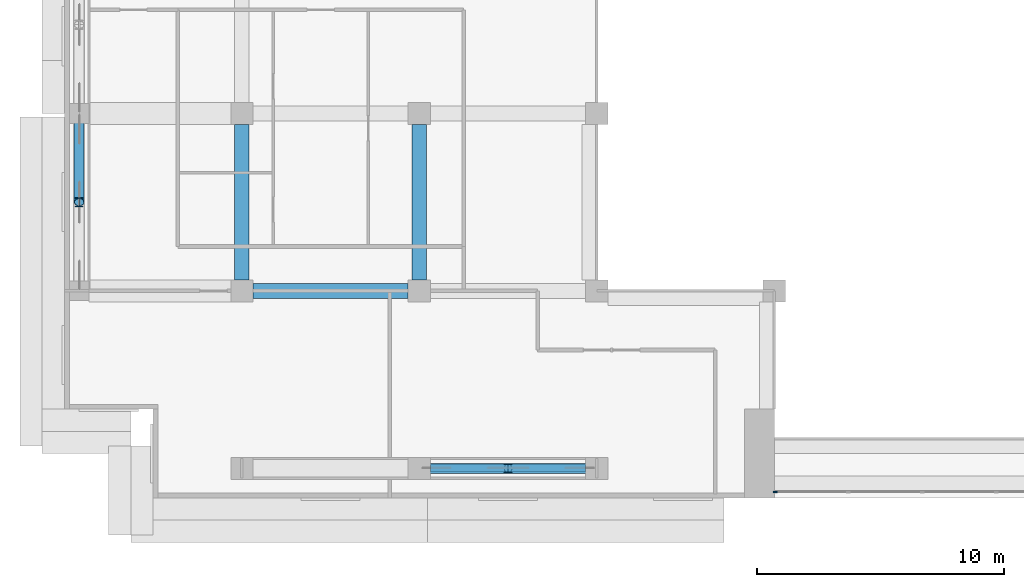
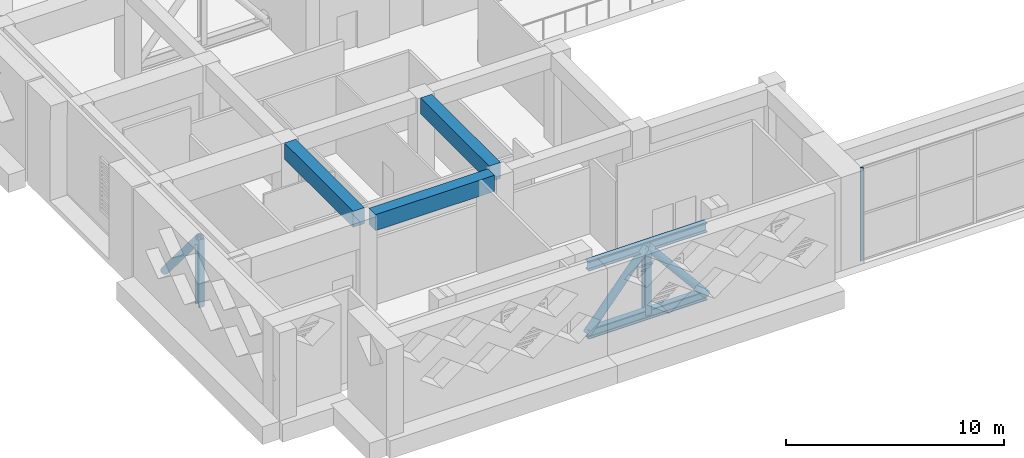
# One storey, part 2 of 20: 8 members, 3 beams, 1 element without a shape of its own.
"""IFC4 building model written with IfcOpenShell, lengths in metres."""

import ifcopenshell
import ifcopenshell.guid

model = None  # the IFC model being written
_history = None  # IfcOwnerHistory: only IFC2X3 demands one
_inside = {}  # id of a spatial element -> (the spatial element, [elements in it])
_under = {}  # id of a project, library or spatial element -> (it, [spatial elements below it])
_declared = {}  # id of a project -> (the project, [libraries it declares])
_typed = {}  # id of a type object -> (the type object, [elements of that type])
_made_of = {}  # id of a material, layer set ... -> (it, [elements and type objects made of it])


def new_model(schema):
    """Start an empty IFC model of exactly this schema.

    Asked for "IFC4X3", IfcOpenShell would pick the latest addendum, in which some entities
    have other attributes; the version numbers below select the first issue.
    IFC2X3 requires an IfcOwnerHistory on every rooted entity: one is made here for all.
    """
    global model, _history
    if schema == "IFC4X3":
        model = ifcopenshell.file(schema_version=(4, 3, 0, 0))
    else:
        model = ifcopenshell.file(schema=schema)
    _inside.clear()
    _under.clear()
    _declared.clear()
    _typed.clear()
    _made_of.clear()
    _history = None
    if model.schema == "IFC2X3":
        org = make("IfcOrganization", Name="unknown")
        user = make(
            "IfcPersonAndOrganization",
            ThePerson=make("IfcPerson", FamilyName="unknown"),
            TheOrganization=org,
        )
        app = make(
            "IfcApplication",
            ApplicationDeveloper=org,
            Version="unknown",
            ApplicationFullName="unknown",
            ApplicationIdentifier="unknown",
        )
        _history = make(
            "IfcOwnerHistory",
            OwningUser=user,
            OwningApplication=app,
            ChangeAction="ADDED",
            CreationDate=0,
        )
    return model


def make(cls, **values):
    """One entity of the class cls with the attributes given. An attribute that is None is left unset."""
    return model.create_entity(
        cls, **{name: value for name, value in values.items() if value is not None}
    )


def rooted(cls, **values):
    """An entity with a GlobalId (a new one), such as an element, a storey or a relation."""
    return make(cls, GlobalId=ifcopenshell.guid.new(), OwnerHistory=_history, **values)


def si_unit(unit_type, name, prefix=None):
    """IfcSIUnit, for example si_unit("LENGTHUNIT", "METRE", prefix="MILLI")."""
    return make("IfcSIUnit", UnitType=unit_type, Prefix=prefix, Name=name)


def assignment(units):
    """IfcUnitAssignment: the units of a project."""
    return None if units is None else make("IfcUnitAssignment", Units=units)


def point(xyz):
    """IfcCartesianPoint."""
    return None if xyz is None else make("IfcCartesianPoint", Coordinates=xyz)


def direction(xyz):
    """IfcDirection."""
    return None if xyz is None else make("IfcDirection", DirectionRatios=xyz)


def frame(location, z_axis=None, x_axis=None):
    """IfcAxis2Placement3D, a coordinate frame: its origin and axes. An axis left out is left unset."""
    return make(
        "IfcAxis2Placement3D",
        Location=point(location),
        Axis=direction(z_axis),
        RefDirection=direction(x_axis),
    )


def frame_2d(location, x_axis=None):
    """IfcAxis2Placement2D, a coordinate frame in the plane: its origin and x axis."""
    return make(
        "IfcAxis2Placement2D", Location=point(location), RefDirection=direction(x_axis)
    )


def origin():
    """The frame at (0, 0, 0) with its axes left unset."""
    return frame((0.0, 0.0, 0.0))


def origin_2d():
    """The frame at (0, 0) in the plane with its x axis left unset."""
    return frame_2d((0.0, 0.0))


def place(relative_to, where):
    """IfcLocalPlacement: puts the frame where relative to a parent placement (None: the world)."""
    return make(
        "IfcLocalPlacement", PlacementRelTo=relative_to, RelativePlacement=where
    )


def context(
    kind, dimensions, precision=None, world=None, true_north=None, identifier=None
):
    """IfcGeometricRepresentationContext, for example the 3D "Model" context."""
    return make(
        "IfcGeometricRepresentationContext",
        ContextIdentifier=identifier,
        ContextType=kind,
        CoordinateSpaceDimension=dimensions,
        Precision=precision,
        WorldCoordinateSystem=world,
        TrueNorth=true_north,
    )


def subcontext(parent, identifier, kind, view, scale=None):
    """IfcGeometricRepresentationSubContext, for example "Body" below "Model"."""
    return make(
        "IfcGeometricRepresentationSubContext",
        ContextIdentifier=identifier,
        ContextType=kind,
        ParentContext=parent,
        TargetScale=scale,
        TargetView=view,
    )


def project(units=None, contexts=None):
    """IfcProject with its units and contexts."""
    return rooted(
        "IfcProject",
        Name="project",
        RepresentationContexts=contexts,
        UnitsInContext=assignment(units),
    )


def spatial(cls, under=None, at=None, **own):
    """A site, building, storey or space (cls), placed at a placement, below another one or the project."""
    s = rooted(cls, ObjectPlacement=at, **own)
    if under is not None:
        _under.setdefault(under.id(), (under, []))[1].append(s)
    return s


def profile(cls, at=None, kind="AREA", **sizes):
    """A parametric profile (cls). Its sizes go by their IFC names, for example OverallWidth=200.0."""
    return make(cls, ProfileType=kind, Position=at, **sizes)


def rectangle(**sizes):
    """IfcRectangleProfileDef."""
    return profile("IfcRectangleProfileDef", **sizes)


def hollow_circle(**sizes):
    """IfcCircleHollowProfileDef."""
    return profile("IfcCircleHollowProfileDef", **sizes)


def i_section(**sizes):
    """IfcIShapeProfileDef."""
    return profile("IfcIShapeProfileDef", **sizes)


def extrude(swept, where, along, depth):
    """IfcExtrudedAreaSolid: the profile swept, set in the frame where, extruded along a direction by depth."""
    return make(
        "IfcExtrudedAreaSolid",
        SweptArea=swept,
        Position=where,
        ExtrudedDirection=direction(along),
        Depth=depth,
    )


def shape(context_of_items, identifier, shape_type, items):
    """IfcShapeRepresentation: the items that make up one representation, for example the "Body"."""
    return make(
        "IfcShapeRepresentation",
        ContextOfItems=context_of_items,
        RepresentationIdentifier=identifier,
        RepresentationType=shape_type,
        Items=items,
    )


def source(mapping_origin, context_of_items, identifier, shape_type, items):
    """IfcRepresentationMap: a shape defined once, which mapped items show again and again."""
    return make(
        "IfcRepresentationMap",
        MappingOrigin=mapping_origin,
        MappedRepresentation=shape(context_of_items, identifier, shape_type, items),
    )


def transform(
    local_origin,
    x_axis=None,
    y_axis=None,
    z_axis=None,
    scale=None,
    scale2=None,
    scale3=None,
    uniform=True,
):
    """IfcCartesianTransformationOperator3D, or its non-uniform kind. x_axis, y_axis, z_axis: its Axis1, 2, 3."""
    if uniform:
        return make(
            "IfcCartesianTransformationOperator3D",
            Axis1=direction(x_axis),
            Axis2=direction(y_axis),
            LocalOrigin=point(local_origin),
            Scale=scale,
            Axis3=direction(z_axis),
        )
    return make(
        "IfcCartesianTransformationOperator3DnonUniform",
        Axis1=direction(x_axis),
        Axis2=direction(y_axis),
        LocalOrigin=point(local_origin),
        Scale=scale,
        Axis3=direction(z_axis),
        Scale2=scale2,
        Scale3=scale3,
    )


def mapped(mapping_source, mapping_target):
    """IfcMappedItem: shows the shape of a source again, moved by a transform."""
    return make(
        "IfcMappedItem", MappingSource=mapping_source, MappingTarget=mapping_target
    )


def material(Name=None, Category=None):
    """IfcMaterial."""
    return make("IfcMaterial", Name=Name, Category=Category)


def layer(
    of_material, thickness, ventilated=None, Name=None, Category=None, Priority=None
):
    """IfcMaterialLayer: one layer of a wall or slab, of a material (None: an air gap)."""
    return make(
        "IfcMaterialLayer",
        Material=of_material,
        LayerThickness=thickness,
        IsVentilated=ventilated,
        Name=Name,
        Category=Category,
        Priority=Priority,
    )


def layer_set(layers, Name=None):
    """IfcMaterialLayerSet."""
    return make("IfcMaterialLayerSet", MaterialLayers=layers, LayerSetName=Name)


def material_profile(
    of_material, cross_section, Name=None, Category=None, Priority=None
):
    """IfcMaterialProfile: a cross section and its material."""
    return make(
        "IfcMaterialProfile",
        Name=Name,
        Material=of_material,
        Profile=cross_section,
        Priority=Priority,
        Category=Category,
    )


def profile_set(profiles, Name=None, composite=None):
    """IfcMaterialProfileSet."""
    return make(
        "IfcMaterialProfileSet",
        Name=Name,
        MaterialProfiles=profiles,
        CompositeProfile=composite,
    )


def made_of(thing, what):
    """Note that an element or type object is made of a material, layer set ...; save() writes the relation."""
    if what is not None:
        _made_of.setdefault(what.id(), (what, []))[1].append(thing)
    return thing


def type_object(cls, material=None, **own):
    """A type object (cls), such as IfcWallType, which elements share."""
    return made_of(rooted(cls, **own), material)


def element(
    cls,
    number,
    at=None,
    inside=None,
    cuts=None,
    type_object=None,
    material=None,
    context=None,
    identifier="Body",
    shape_type=None,
    held_by="IfcProductDefinitionShape",
    body=None,
    shapes=None,
    **own,
):
    """One element of the class cls, such as IfcWall. Its Tag is "e" and its number.

    at: its placement. inside: the storey or other place that contains it. cuts: it is an
    opening in that element (IfcRelVoidsElement). A single representation is given by context,
    identifier, shape_type and body (its items); several are given by shapes. held_by: the class
    of the entity that holds the representations. save() writes the other relations.
    """
    e = rooted(cls, Tag="e%d" % number, ObjectPlacement=at, **own)
    if body is not None:
        shapes = [shape(context, identifier, shape_type, body)]
    if shapes is not None:
        e.Representation = make(held_by, Representations=shapes)
    if inside is not None:
        _inside.setdefault(inside.id(), (inside, []))[1].append(e)
    if cuts is not None:
        rooted(
            "IfcRelVoidsElement", RelatingBuildingElement=cuts, RelatedOpeningElement=e
        )
    if type_object is not None:
        _typed.setdefault(type_object.id(), (type_object, []))[1].append(e)
    return made_of(e, material)


def aggregate(whole, parts):
    """IfcRelAggregates: a whole, such as a stair, and the parts it consists of."""
    return rooted("IfcRelAggregates", RelatingObject=whole, RelatedObjects=parts)


def save(model, path):
    """Write the relations noted so far, then the file.

    IfcRelAggregates (storeys below a building ...), IfcRelContainedInSpatialStructure (elements
    in a storey), IfcRelDefinesByType, IfcRelAssociatesMaterial and IfcRelDeclares: one each for
    every whole, place, type object, material and project.
    """
    for whole, parts in _under.values():
        aggregate(whole, parts)
    for where, things in _inside.values():
        rooted(
            "IfcRelContainedInSpatialStructure",
            RelatedElements=things,
            RelatingStructure=where,
        )
    for kind, things in _typed.values():
        rooted("IfcRelDefinesByType", RelatedObjects=things, RelatingType=kind)
    for what, things in _made_of.values():
        rooted("IfcRelAssociatesMaterial", RelatedObjects=things, RelatingMaterial=what)
    for by, libraries in _declared.values():
        rooted("IfcRelDeclares", RelatingContext=by, RelatedDefinitions=libraries)
    model.write(path)


model = new_model("IFC4")

# Units and contexts
model_context = context("Model", 3, precision=1e-05, world=origin(), true_north=direction((0.0, 1.0)))
body_context = subcontext(model_context, "Body", "Model", "MODEL_VIEW")
ifc_project = project(units=[si_unit("LENGTHUNIT", "METRE"), si_unit("AREAUNIT", "SQUARE_METRE"), si_unit("VOLUMEUNIT", "CUBIC_METRE"), si_unit("PLANEANGLEUNIT", "RADIAN"), si_unit("MASSUNIT", "GRAM", prefix="KILO")], contexts=[model_context])

# Site, building, storey
site_placement = place(None, origin())
site = spatial("IfcSite", under=ifc_project, at=site_placement, CompositionType="ELEMENT")
building_placement = place(site_placement, origin())
building = spatial("IfcBuilding", under=site, at=building_placement, Name="Saffron Iwan Residences", CompositionType="ELEMENT")
storey_placement = place(building_placement, frame((0.0, 0.0, 206.0)))
storey = spatial("IfcBuildingStorey", under=building, at=storey_placement, Name="L55", CompositionType="ELEMENT", Elevation=206.0)

# Beams
ifc_material_1 = material(Name="Concrete C50/60", Category="concrete")
ifc_material_profile_1 = material_profile(ifc_material_1, rectangle(XDim=0.60009765625, YDim=0.89990234375, at=origin_2d()), Name="RC 600x900")
ifc_profile_set_1 = profile_set([ifc_material_profile_1], Name="Concrete C50/60")
beam_type = type_object("IfcBeamType", Name="BEAM RC 600x900 C50/60 TOP 5220", PredefinedType="BEAM", material=ifc_profile_set_1)
shared_shape_1 = source(origin(), body_context, "Body", "SweptSolid", [
    extrude(rectangle(XDim=0.60009765625, YDim=0.89990234375, at=origin_2d()), origin(), (0.0, 0.0, 1.0), 6.300048828125),
])
for number, where, z_axis, x_axis, name in (
    (1, (22.050048828125, 48.0, 4.77001953125), (1.0, 0.0, 0.0), (0.0, 1.0, 0.0), "Floor beam"),
    (2, (21.60009765625, 48.449951171875, 4.77001953125), (0.0, 1.0, 0.0), (-1.0, 0.0, 0.0), "Floor beam"),
    (3, (28.800048828125, 48.449951171875, 4.77001953125), (0.0, 1.0, 0.0), (-1.0, 0.0, 0.0), "Floor beam"),
):
    element("IfcBeam", number, at=place(storey_placement, frame(where, z_axis=z_axis, x_axis=x_axis)), inside=storey, type_object=beam_type, Name=name, PredefinedType="BEAM", context=body_context, shape_type="MappedRepresentation", body=[
        mapped(shared_shape_1, transform((0.0, 0.0, 0.0))),
    ])

# Members
ifc_material_2 = material(Name="Steel S355", Category="steel")
ifc_material_profile_2 = material_profile(ifc_material_2, hollow_circle(Radius=0.203125, WallThickness=0.01611328125, at=origin_2d()), Name="CHS 406.4x16")
ifc_profile_set_2 = profile_set([ifc_material_profile_2], Name="Steel S355")
member_type_1 = type_object("IfcMemberType", Name="BELT TRUSS DIAGONAL CHS 406.4x16 S355", PredefinedType="BRACE", material=ifc_profile_set_2)
shared_shape_2 = source(origin(), body_context, "Body", "SweptSolid", [
    extrude(hollow_circle(Radius=0.203125, WallThickness=0.01611328125, at=origin_2d()), origin(), (0.0, 0.0, 1.0), 4.96484375),
])
member_1_placement = place(storey_placement, frame((15.0, 51.60009765625, 4.05810546875), z_axis=(0.0, 0.644512714947, -0.764593591571), x_axis=(-1.0, 0.0, 0.0)))
element("IfcMember", 4, at=member_1_placement, inside=storey, type_object=member_type_1, Name="Belt truss diagonal L55", PredefinedType="BRACE", context=body_context, shape_type="MappedRepresentation", body=[
    mapped(shared_shape_2, transform((0.0, 0.0, 0.0))),
])
ifc_material_profile_3 = material_profile(ifc_material_2, i_section(OverallWidth=0.300048828125, OverallDepth=0.360107421875, WebThickness=0.012451171875, FlangeThickness=0.0224609375, FilletRadius=0.027099609375, at=origin_2d()), Name="HE 360 B")
ifc_profile_set_3 = profile_set([ifc_material_profile_3], Name="Steel S355")
member_type_2 = type_object("IfcMemberType", Name="BELT TRUSS POST HE 360 B S355", PredefinedType="POST", material=ifc_profile_set_3)
shared_shape_3 = source(origin(), body_context, "Body", "SweptSolid", [
    extrude(i_section(OverallWidth=0.300048828125, OverallDepth=0.360107421875, WebThickness=0.012451171875, FlangeThickness=0.0224609375, FilletRadius=0.027099609375, at=origin_2d()), origin(), (0.0, 0.0, 1.0), 3.796142578125),
])
for number, where, z_axis, x_axis, name in (
    (5, (15.0, 51.60009765625, 0.261962890625), (0.0, 0.0, 1.0), (1.0, 0.0, 0.0), "Belt truss post L55"),
    (6, (32.39990234375, 40.800048828125, 0.261962890625), (0.0, 0.0, 1.0), (1.0, 0.0, 0.0), "Belt truss post L55"),
):
    element("IfcMember", number, at=place(storey_placement, frame(where, z_axis=z_axis, x_axis=x_axis)), inside=storey, type_object=member_type_2, Name=name, PredefinedType="POST", context=body_context, shape_type="MappedRepresentation", body=[
        mapped(shared_shape_3, transform((0.0, 0.0, 0.0))),
    ])
ifc_material_profile_4 = material_profile(ifc_material_2, i_section(OverallWidth=0.305908203125, OverallDepth=0.52392578125, WebThickness=0.02099609375, FlangeThickness=0.0400390625, FilletRadius=0.027099609375, at=origin_2d()), Name="HE 500 M")
ifc_profile_set_4 = profile_set([ifc_material_profile_4], Name="Steel S355")
member_type_3 = type_object("IfcMemberType", Name="BELT TRUSS CHORD HE 500 M S355", PredefinedType="CHORD", material=ifc_profile_set_4)
shared_shape_4 = source(origin(), body_context, "Body", "SweptSolid", [
    extrude(i_section(OverallWidth=0.305908203125, OverallDepth=0.52392578125, WebThickness=0.02099609375, FlangeThickness=0.0400390625, FilletRadius=0.027099609375, at=origin_2d()), origin(), (0.0, 0.0, 1.0), 6.300048828125),
])
for number, where, z_axis, x_axis, name in (
    (7, (35.550048828125, 40.800048828125, 0.261962890625), (-1.0, 0.0, 0.0), (0.0, -1.0, 0.0), "Belt truss chord L55"),
    (8, (35.550048828125, 40.800048828125, 4.05810546875), (-1.0, 0.0, 0.0), (0.0, -1.0, 0.0), "Belt truss chord L55"),
):
    element("IfcMember", number, at=place(storey_placement, frame(where, z_axis=z_axis, x_axis=x_axis)), inside=storey, type_object=member_type_3, Name=name, PredefinedType="CHORD", context=body_context, shape_type="MappedRepresentation", body=[
        mapped(shared_shape_4, transform((0.0, 0.0, 0.0))),
    ])
shared_shape_5 = source(origin(), body_context, "Body", "SweptSolid", [
    extrude(hollow_circle(Radius=0.203125, WallThickness=0.01611328125, at=origin_2d()), origin(), (0.0, 0.0, 1.0), 4.932861328125),
])
for number, where, z_axis, x_axis, name in (
    (9, (35.550048828125, 40.800048828125, 0.261962890625), (-0.638591178061, 0.0, 0.769546169702), (0.0, -1.0, 0.0), "Belt truss diagonal L55"),
    (10, (32.39990234375, 40.800048828125, 4.05810546875), (-0.638561867632, 0.0, -0.769570491382), (0.0, -1.0, 0.0), "Belt truss diagonal L55"),
):
    element("IfcMember", number, at=place(storey_placement, frame(where, z_axis=z_axis, x_axis=x_axis)), inside=storey, type_object=member_type_1, Name=name, PredefinedType="BRACE", context=body_context, shape_type="MappedRepresentation", body=[
        mapped(shared_shape_5, transform((0.0, 0.0, 0.0))),
    ])

# Curtain wall, member
ifc_material_3 = material(Name="Clear glass, laminated double glazed", Category="glass")
ifc_layer = layer(ifc_material_3, 0.199951171875)
ifc_layer_set = layer_set([ifc_layer], Name="Clear glass, laminated double glazed")
curtain_wall_type = type_object("IfcCurtainWallType", Name="CW-B IWAN PORTAL", PredefinedType="NOTDEFINED", material=ifc_layer_set)
curtain_wall_placement = place(storey_placement, origin())
curtain_wall = element("IfcCurtainWall", 11, at=curtain_wall_placement, inside=storey, type_object=curtain_wall_type, Name="Iwan portal glazing L55.1", PredefinedType="NOTDEFINED")
ifc_material_4 = material(Name="Aluminium 6063-T6", Category="aluminium")
ifc_material_profile_5 = material_profile(ifc_material_4, rectangle(XDim=0.06005859375, YDim=0.159912109375, at=origin_2d()), Name="CW-B MULLION 60 x 160")
ifc_profile_set_5 = profile_set([ifc_material_profile_5], Name="Aluminium 6063-T6")
member_type_4 = type_object("IfcMemberType", Name="CW-B MULLION 60 x 160", PredefinedType="MULLION", material=ifc_profile_set_5)
shared_shape_6 = source(origin(), body_context, "Body", "SweptSolid", [
    extrude(rectangle(XDim=0.06005859375, YDim=0.159912109375, at=origin_2d()), origin(), (0.0, 0.0, 1.0), 5.219970703125),
])
member_2_placement = place(storey_placement, frame((43.22998046875, 39.85009765625, 0.0), z_axis=(0.0, 0.0, 1.0), x_axis=(0.0, 1.0, 0.0)))
member_2 = element("IfcMember", 12, at=member_2_placement, type_object=member_type_4, Name="CW-B mullion 1", PredefinedType="MULLION", context=body_context, shape_type="MappedRepresentation", body=[
    mapped(shared_shape_6, transform((0.0, 0.0, 0.0))),
])
aggregate(curtain_wall, [member_2])

save(model, "model.ifc")
